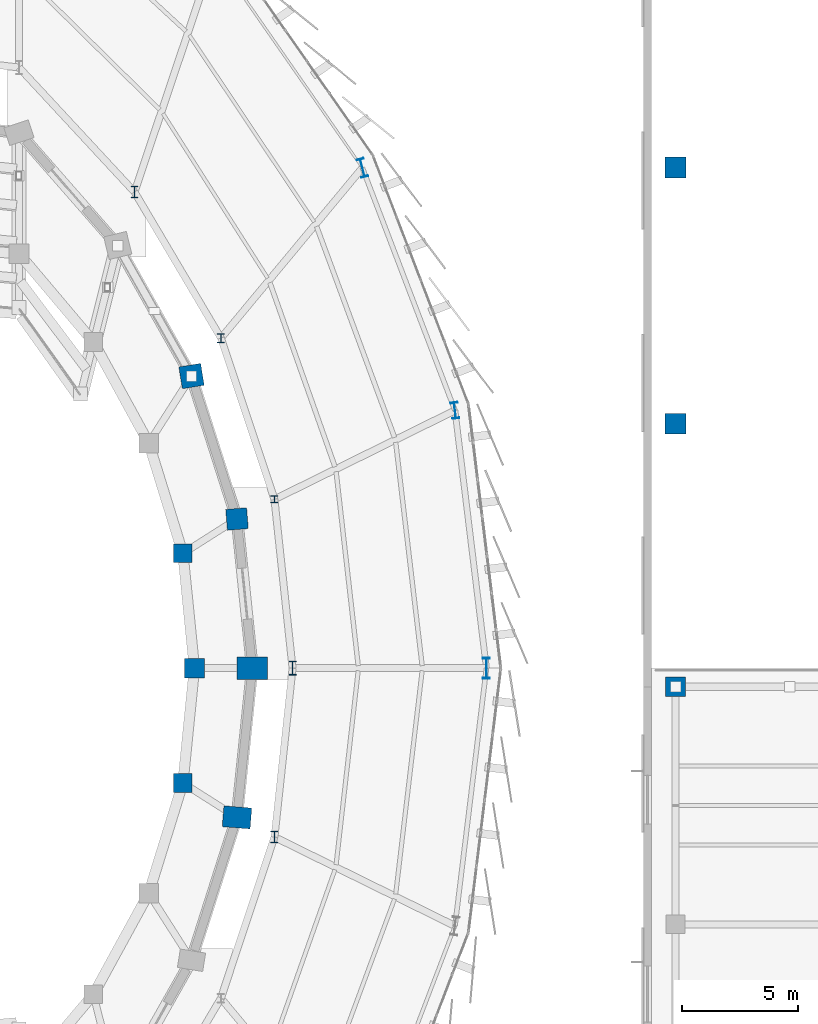
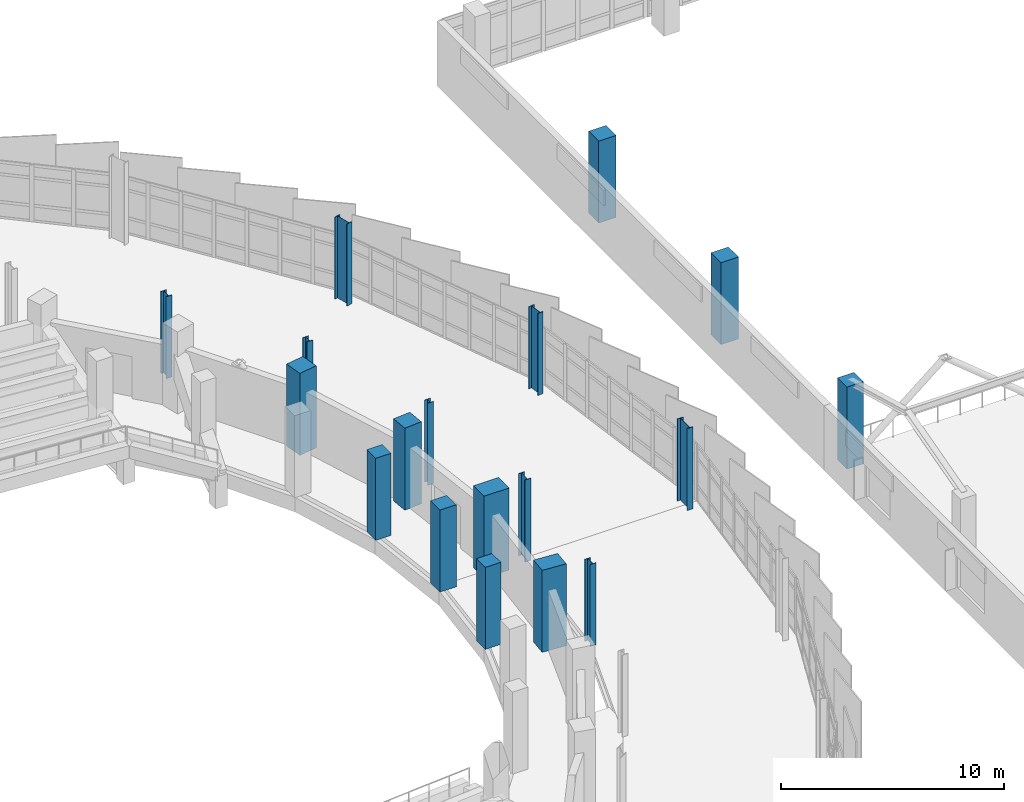
# One storey, part 21 of 120: 18 columns.
"""IFC4 building model written with IfcOpenShell, lengths in metres."""

import ifcopenshell
import ifcopenshell.guid

model = None  # the IFC model being written
_history = None  # IfcOwnerHistory: only IFC2X3 demands one
_inside = {}  # id of a spatial element -> (the spatial element, [elements in it])
_under = {}  # id of a project, library or spatial element -> (it, [spatial elements below it])
_declared = {}  # id of a project -> (the project, [libraries it declares])
_typed = {}  # id of a type object -> (the type object, [elements of that type])
_made_of = {}  # id of a material, layer set ... -> (it, [elements and type objects made of it])


def new_model(schema):
    """Start an empty IFC model of exactly this schema.

    Asked for "IFC4X3", IfcOpenShell would pick the latest addendum, in which some entities
    have other attributes; the version numbers below select the first issue.
    IFC2X3 requires an IfcOwnerHistory on every rooted entity: one is made here for all.
    """
    global model, _history
    if schema == "IFC4X3":
        model = ifcopenshell.file(schema_version=(4, 3, 0, 0))
    else:
        model = ifcopenshell.file(schema=schema)
    _inside.clear()
    _under.clear()
    _declared.clear()
    _typed.clear()
    _made_of.clear()
    _history = None
    if model.schema == "IFC2X3":
        org = make("IfcOrganization", Name="unknown")
        user = make(
            "IfcPersonAndOrganization",
            ThePerson=make("IfcPerson", FamilyName="unknown"),
            TheOrganization=org,
        )
        app = make(
            "IfcApplication",
            ApplicationDeveloper=org,
            Version="unknown",
            ApplicationFullName="unknown",
            ApplicationIdentifier="unknown",
        )
        _history = make(
            "IfcOwnerHistory",
            OwningUser=user,
            OwningApplication=app,
            ChangeAction="ADDED",
            CreationDate=0,
        )
    return model


def make(cls, **values):
    """One entity of the class cls with the attributes given. An attribute that is None is left unset."""
    return model.create_entity(
        cls, **{name: value for name, value in values.items() if value is not None}
    )


def rooted(cls, **values):
    """An entity with a GlobalId (a new one), such as an element, a storey or a relation."""
    return make(cls, GlobalId=ifcopenshell.guid.new(), OwnerHistory=_history, **values)


def si_unit(unit_type, name, prefix=None):
    """IfcSIUnit, for example si_unit("LENGTHUNIT", "METRE", prefix="MILLI")."""
    return make("IfcSIUnit", UnitType=unit_type, Prefix=prefix, Name=name)


def assignment(units):
    """IfcUnitAssignment: the units of a project."""
    return None if units is None else make("IfcUnitAssignment", Units=units)


def point(xyz):
    """IfcCartesianPoint."""
    return None if xyz is None else make("IfcCartesianPoint", Coordinates=xyz)


def direction(xyz):
    """IfcDirection."""
    return None if xyz is None else make("IfcDirection", DirectionRatios=xyz)


def frame(location, z_axis=None, x_axis=None):
    """IfcAxis2Placement3D, a coordinate frame: its origin and axes. An axis left out is left unset."""
    return make(
        "IfcAxis2Placement3D",
        Location=point(location),
        Axis=direction(z_axis),
        RefDirection=direction(x_axis),
    )


def frame_2d(location, x_axis=None):
    """IfcAxis2Placement2D, a coordinate frame in the plane: its origin and x axis."""
    return make(
        "IfcAxis2Placement2D", Location=point(location), RefDirection=direction(x_axis)
    )


def origin():
    """The frame at (0, 0, 0) with its axes left unset."""
    return frame((0.0, 0.0, 0.0))


def origin_2d():
    """The frame at (0, 0) in the plane with its x axis left unset."""
    return frame_2d((0.0, 0.0))


def place(relative_to, where):
    """IfcLocalPlacement: puts the frame where relative to a parent placement (None: the world)."""
    return make(
        "IfcLocalPlacement", PlacementRelTo=relative_to, RelativePlacement=where
    )


def context(
    kind, dimensions, precision=None, world=None, true_north=None, identifier=None
):
    """IfcGeometricRepresentationContext, for example the 3D "Model" context."""
    return make(
        "IfcGeometricRepresentationContext",
        ContextIdentifier=identifier,
        ContextType=kind,
        CoordinateSpaceDimension=dimensions,
        Precision=precision,
        WorldCoordinateSystem=world,
        TrueNorth=true_north,
    )


def subcontext(parent, identifier, kind, view, scale=None):
    """IfcGeometricRepresentationSubContext, for example "Body" below "Model"."""
    return make(
        "IfcGeometricRepresentationSubContext",
        ContextIdentifier=identifier,
        ContextType=kind,
        ParentContext=parent,
        TargetScale=scale,
        TargetView=view,
    )


def project(units=None, contexts=None):
    """IfcProject with its units and contexts."""
    return rooted(
        "IfcProject",
        Name="project",
        RepresentationContexts=contexts,
        UnitsInContext=assignment(units),
    )


def spatial(cls, under=None, at=None, **own):
    """A site, building, storey or space (cls), placed at a placement, below another one or the project."""
    s = rooted(cls, ObjectPlacement=at, **own)
    if under is not None:
        _under.setdefault(under.id(), (under, []))[1].append(s)
    return s


def profile(cls, at=None, kind="AREA", **sizes):
    """A parametric profile (cls). Its sizes go by their IFC names, for example OverallWidth=200.0."""
    return make(cls, ProfileType=kind, Position=at, **sizes)


def rectangle(**sizes):
    """IfcRectangleProfileDef."""
    return profile("IfcRectangleProfileDef", **sizes)


def i_section(**sizes):
    """IfcIShapeProfileDef."""
    return profile("IfcIShapeProfileDef", **sizes)


def extrude(swept, where, along, depth):
    """IfcExtrudedAreaSolid: the profile swept, set in the frame where, extruded along a direction by depth."""
    return make(
        "IfcExtrudedAreaSolid",
        SweptArea=swept,
        Position=where,
        ExtrudedDirection=direction(along),
        Depth=depth,
    )


def shape(context_of_items, identifier, shape_type, items):
    """IfcShapeRepresentation: the items that make up one representation, for example the "Body"."""
    return make(
        "IfcShapeRepresentation",
        ContextOfItems=context_of_items,
        RepresentationIdentifier=identifier,
        RepresentationType=shape_type,
        Items=items,
    )


def material(Name=None, Category=None):
    """IfcMaterial."""
    return make("IfcMaterial", Name=Name, Category=Category)


def material_profile(
    of_material, cross_section, Name=None, Category=None, Priority=None
):
    """IfcMaterialProfile: a cross section and its material."""
    return make(
        "IfcMaterialProfile",
        Name=Name,
        Material=of_material,
        Profile=cross_section,
        Priority=Priority,
        Category=Category,
    )


def profile_set(profiles, Name=None, composite=None):
    """IfcMaterialProfileSet."""
    return make(
        "IfcMaterialProfileSet",
        Name=Name,
        MaterialProfiles=profiles,
        CompositeProfile=composite,
    )


def made_of(thing, what):
    """Note that an element or type object is made of a material, layer set ...; save() writes the relation."""
    if what is not None:
        _made_of.setdefault(what.id(), (what, []))[1].append(thing)
    return thing


def type_object(cls, material=None, **own):
    """A type object (cls), such as IfcWallType, which elements share."""
    return made_of(rooted(cls, **own), material)


def element(
    cls,
    number,
    at=None,
    inside=None,
    cuts=None,
    type_object=None,
    material=None,
    context=None,
    identifier="Body",
    shape_type=None,
    held_by="IfcProductDefinitionShape",
    body=None,
    shapes=None,
    **own,
):
    """One element of the class cls, such as IfcWall. Its Tag is "e" and its number.

    at: its placement. inside: the storey or other place that contains it. cuts: it is an
    opening in that element (IfcRelVoidsElement). A single representation is given by context,
    identifier, shape_type and body (its items); several are given by shapes. held_by: the class
    of the entity that holds the representations. save() writes the other relations.
    """
    e = rooted(cls, Tag="e%d" % number, ObjectPlacement=at, **own)
    if body is not None:
        shapes = [shape(context, identifier, shape_type, body)]
    if shapes is not None:
        e.Representation = make(held_by, Representations=shapes)
    if inside is not None:
        _inside.setdefault(inside.id(), (inside, []))[1].append(e)
    if cuts is not None:
        rooted(
            "IfcRelVoidsElement", RelatingBuildingElement=cuts, RelatedOpeningElement=e
        )
    if type_object is not None:
        _typed.setdefault(type_object.id(), (type_object, []))[1].append(e)
    return made_of(e, material)


def aggregate(whole, parts):
    """IfcRelAggregates: a whole, such as a stair, and the parts it consists of."""
    return rooted("IfcRelAggregates", RelatingObject=whole, RelatedObjects=parts)


def save(model, path):
    """Write the relations noted so far, then the file.

    IfcRelAggregates (storeys below a building ...), IfcRelContainedInSpatialStructure (elements
    in a storey), IfcRelDefinesByType, IfcRelAssociatesMaterial and IfcRelDeclares: one each for
    every whole, place, type object, material and project.
    """
    for whole, parts in _under.values():
        aggregate(whole, parts)
    for where, things in _inside.values():
        rooted(
            "IfcRelContainedInSpatialStructure",
            RelatedElements=things,
            RelatingStructure=where,
        )
    for kind, things in _typed.values():
        rooted("IfcRelDefinesByType", RelatedObjects=things, RelatingType=kind)
    for what, things in _made_of.values():
        rooted("IfcRelAssociatesMaterial", RelatedObjects=things, RelatingMaterial=what)
    for by, libraries in _declared.values():
        rooted("IfcRelDeclares", RelatingContext=by, RelatedDefinitions=libraries)
    model.write(path)


model = new_model("IFC4")

# Units and contexts
model_context = context("Model", 3, precision=1e-05, world=origin(), true_north=direction((0.0, 1.0)))
body_context = subcontext(model_context, "Body", "Model", "MODEL_VIEW")
ifc_project = project(units=[si_unit("LENGTHUNIT", "METRE"), si_unit("AREAUNIT", "SQUARE_METRE"), si_unit("VOLUMEUNIT", "CUBIC_METRE"), si_unit("PLANEANGLEUNIT", "RADIAN"), si_unit("MASSUNIT", "GRAM", prefix="KILO")], contexts=[model_context])

# Site, building, storey
site_placement = place(None, origin())
site = spatial("IfcSite", under=ifc_project, at=site_placement, CompositionType="ELEMENT")
building_placement = place(site_placement, origin())
building = spatial("IfcBuilding", under=site, at=building_placement, Name="Sohan Crest Arena", CompositionType="ELEMENT")
storey_placement = place(building_placement, frame((0.0, 0.0, 13.5)))
storey = spatial("IfcBuildingStorey", under=building, at=storey_placement, Name="L03", CompositionType="ELEMENT", Elevation=13.5)

# Columns
ifc_material_1 = material(Name="Concrete C40/50", Category="concrete")
ifc_material_profile_1 = material_profile(ifc_material_1, rectangle(XDim=0.800048828125, YDim=0.800048828125, at=origin_2d()), Name="RC 800x800")
ifc_profile_set_1 = profile_set([ifc_material_profile_1], Name="Concrete C40/50")
column_type_1 = type_object("IfcColumnType", Name="STR-COL-C05", PredefinedType="COLUMN", material=ifc_profile_set_1)
for number, where, z_axis, x_axis, name in (
    (1, (175.037109375, 73.070068359375, 0.0), (0.0, 0.0, 1.0), (1.0, 0.0, 0.0), "Structural column COL-V1M-23-L03"),
    (2, (175.037109375, 82.929931640625, 0.0), (0.0, 0.0, 1.0), (1.0, 0.0, 0.0), "Structural column COL-V1M-25-L03"),
):
    element("IfcColumn", number, at=place(storey_placement, frame(where, z_axis=z_axis, x_axis=x_axis)), inside=storey, type_object=column_type_1, Name=name, PredefinedType="COLUMN", context=body_context, shape_type="SweptSolid", body=[
        extrude(rectangle(XDim=0.800048828125, YDim=0.800048828125, at=origin_2d()), origin(), (0.0, 0.0, 1.0), 4.5),
    ])
ifc_material_profile_2 = material_profile(ifc_material_1, rectangle(XDim=0.85009765625, YDim=0.85009765625, at=origin_2d()), Name="RC 850x850")
ifc_profile_set_2 = profile_set([ifc_material_profile_2], Name="Concrete C40/50")
column_type_2 = type_object("IfcColumnType", Name="STR-COL-C06", PredefinedType="COLUMN", material=ifc_profile_set_2)
for number, where, z_axis, x_axis, name in (
    (3, (175.531982421875, 78.0, 0.0), (0.0, 0.0, 1.0), (1.0, 0.0, 0.0), "Structural column COL-V1M-24-L03"),
    (4, (196.199951171875, 77.199951171875, 0.0), (0.0, 0.0, 1.0), (1.0, 0.0, 0.0), "Structural column COL-V4S-14-L03"),
):
    element("IfcColumn", number, at=place(storey_placement, frame(where, z_axis=z_axis, x_axis=x_axis)), inside=storey, type_object=column_type_2, Name=name, PredefinedType="COLUMN", context=body_context, shape_type="SweptSolid", body=[
        extrude(rectangle(XDim=0.85009765625, YDim=0.85009765625, at=origin_2d()), origin(), (0.0, 0.0, 1.0), 4.5),
    ])
ifc_material_profile_3 = material_profile(ifc_material_1, rectangle(XDim=0.89990234375, YDim=0.89990234375, at=origin_2d()), Name="RC 900x900")
ifc_profile_set_3 = profile_set([ifc_material_profile_3], Name="Concrete C40/50")
column_type_3 = type_object("IfcColumnType", Name="STR-COL-C07", PredefinedType="COLUMN", material=ifc_profile_set_3)
for number, where, z_axis, x_axis, name in (
    (5, (177.363037109375, 84.406982421875, 0.0), (0.0, 0.0, 1.0), (0.996778878456, 0.080198924329, 0.0), "Structural column COL-V1R-25-L03"),
    (6, (196.199951171875, 88.5, 0.0), (0.0, 0.0, 1.0), (1.0, 0.0, 0.0), "Structural column COL-V4G-W1-L03"),
    (7, (196.199951171875, 99.5, 0.0), (0.0, 0.0, 1.0), (1.0, 0.0, 0.0), "Structural column COL-V4G-W2-L03"),
):
    element("IfcColumn", number, at=place(storey_placement, frame(where, z_axis=z_axis, x_axis=x_axis)), inside=storey, type_object=column_type_3, Name=name, PredefinedType="COLUMN", context=body_context, shape_type="SweptSolid", body=[
        extrude(rectangle(XDim=0.89990234375, YDim=0.89990234375, at=origin_2d()), origin(), (0.0, 0.0, 1.0), 4.5),
    ])
ifc_material_profile_4 = material_profile(ifc_material_1, rectangle(XDim=0.949951171875, YDim=0.949951171875, at=origin_2d()), Name="RC 950x950")
ifc_profile_set_4 = profile_set([ifc_material_profile_4], Name="Concrete C40/50")
column_type_4 = type_object("IfcColumnType", Name="STR-COL-C08", PredefinedType="COLUMN", material=ifc_profile_set_4)
column_1_placement = place(storey_placement, frame((175.408935546875, 90.544921875, 0.0), z_axis=(0.0, 0.0, 1.0), x_axis=(0.987136265073, 0.159881187692, 0.0)))
element("IfcColumn", 8, at=column_1_placement, inside=storey, type_object=column_type_4, Name="Structural column COL-V1R-26-L03", PredefinedType="COLUMN", context=body_context, shape_type="SweptSolid", body=[
    extrude(rectangle(XDim=0.949951171875, YDim=0.949951171875, at=origin_2d()), origin(), (0.0, 0.0, 1.0), 4.5),
])
ifc_material_profile_5 = material_profile(ifc_material_1, rectangle(XDim=1.199951171875, YDim=0.89990234375, at=origin_2d()), Name="RC 1200x900")
ifc_profile_set_5 = profile_set([ifc_material_profile_5], Name="Concrete C40/50")
column_type_5 = type_object("IfcColumnType", Name="STR-COL-C11", PredefinedType="COLUMN", material=ifc_profile_set_5)
column_2_placement = place(storey_placement, frame((177.363037109375, 71.593017578125, 0.0), z_axis=(0.0, 0.0, 1.0), x_axis=(-0.996778878456, 0.080198924329, 0.0)))
element("IfcColumn", 9, at=column_2_placement, inside=storey, type_object=column_type_5, Name="Structural column COL-V1R-23-L03", PredefinedType="COLUMN", context=body_context, shape_type="SweptSolid", body=[
    extrude(rectangle(XDim=1.199951171875, YDim=0.89990234375, at=origin_2d()), origin(), (0.0, 0.0, 1.0), 4.5),
])
ifc_material_profile_6 = material_profile(ifc_material_1, rectangle(XDim=1.300048828125, YDim=0.949951171875, at=origin_2d()), Name="RC 1300x950")
ifc_profile_set_6 = profile_set([ifc_material_profile_6], Name="Concrete C40/50")
column_type_6 = type_object("IfcColumnType", Name="STR-COL-C12", PredefinedType="COLUMN", material=ifc_profile_set_6)
column_3_placement = place(storey_placement, frame((178.02294921875, 78.0, 0.0), z_axis=(0.0, 0.0, 1.0), x_axis=(1.0, 0.0, 0.0)))
element("IfcColumn", 10, at=column_3_placement, inside=storey, type_object=column_type_6, Name="Structural column COL-V1R-24-L03", PredefinedType="COLUMN", context=body_context, shape_type="SweptSolid", body=[
    extrude(rectangle(XDim=1.300048828125, YDim=0.949951171875, at=origin_2d()), origin(), (0.0, 0.0, 1.0), 4.5),
])
ifc_material_2 = material(Name="Steel S355", Category="steel")
ifc_material_profile_7 = material_profile(ifc_material_2, i_section(OverallWidth=0.300048828125, OverallDepth=0.300048828125, WebThickness=0.010986328125, FlangeThickness=0.01904296875, at=origin_2d()), Name="HEB 300")
ifc_profile_set_7 = profile_set([ifc_material_profile_7], Name="Steel S355")
column_type_7 = type_object("IfcColumnType", Name="STR-COL-C17", PredefinedType="COLUMN", material=ifc_profile_set_7)
column_4_placement = place(storey_placement, frame((178.971923828125, 85.251953125, 0.0), z_axis=(0.0, 0.0, 1.0), x_axis=(1.0, 0.0, 0.0)))
element("IfcColumn", 11, at=column_4_placement, inside=storey, type_object=column_type_7, Name="Structural column COL-V2I-25-L03", PredefinedType="COLUMN", context=body_context, shape_type="SweptSolid", body=[
    extrude(i_section(OverallWidth=0.300048828125, OverallDepth=0.300048828125, WebThickness=0.010986328125, FlangeThickness=0.01904296875, at=origin_2d()), origin(), (0.0, 0.0, 1.0), 4.5),
])
ifc_material_profile_8 = material_profile(ifc_material_2, i_section(OverallWidth=0.300048828125, OverallDepth=0.39990234375, WebThickness=0.013427734375, FlangeThickness=0.02392578125, at=origin_2d()), Name="HEB 400")
ifc_profile_set_8 = profile_set([ifc_material_profile_8], Name="Steel S355")
column_type_8 = type_object("IfcColumnType", Name="STR-COL-C18", PredefinedType="COLUMN", material=ifc_profile_set_8)
column_5_placement = place(storey_placement, frame((176.674072265625, 92.175048828125, 0.0), z_axis=(0.0, 0.0, 1.0), x_axis=(1.0, 0.0, 0.0)))
element("IfcColumn", 12, at=column_5_placement, inside=storey, type_object=column_type_8, Name="Structural column COL-V2I-26-L03", PredefinedType="COLUMN", context=body_context, shape_type="SweptSolid", body=[
    extrude(i_section(OverallWidth=0.300048828125, OverallDepth=0.39990234375, WebThickness=0.013427734375, FlangeThickness=0.02392578125, at=origin_2d()), origin(), (0.0, 0.0, 1.0), 4.5),
])
ifc_material_profile_9 = material_profile(ifc_material_2, i_section(OverallWidth=0.300048828125, OverallDepth=0.5, WebThickness=0.014404296875, FlangeThickness=0.028076171875, at=origin_2d()), Name="HEB 500")
ifc_profile_set_9 = profile_set([ifc_material_profile_9], Name="Steel S355")
column_type_9 = type_object("IfcColumnType", Name="STR-COL-C19", PredefinedType="COLUMN", material=ifc_profile_set_9)
for number, where, z_axis, x_axis, name in (
    (13, (178.971923828125, 70.748046875, 0.0), (0.0, 0.0, 1.0), (1.0, 0.0, 0.0), "Structural column COL-V2I-23-L03"),
    (14, (172.9609375, 98.452880859375, 0.0), (0.0, 0.0, 1.0), (1.0, 0.0, 0.0), "Structural column COL-V2I-27-L03"),
):
    element("IfcColumn", number, at=place(storey_placement, frame(where, z_axis=z_axis, x_axis=x_axis)), inside=storey, type_object=column_type_9, Name=name, PredefinedType="COLUMN", context=body_context, shape_type="SweptSolid", body=[
        extrude(i_section(OverallWidth=0.300048828125, OverallDepth=0.5, WebThickness=0.014404296875, FlangeThickness=0.028076171875, at=origin_2d()), origin(), (0.0, 0.0, 1.0), 4.5),
    ])
ifc_material_profile_10 = material_profile(ifc_material_2, i_section(OverallWidth=0.300048828125, OverallDepth=0.60009765625, WebThickness=0.015380859375, FlangeThickness=0.030029296875, at=origin_2d()), Name="HEB 600")
ifc_profile_set_10 = profile_set([ifc_material_profile_10], Name="Steel S355")
column_type_10 = type_object("IfcColumnType", Name="STR-COL-C20", PredefinedType="COLUMN", material=ifc_profile_set_10)
column_6_placement = place(storey_placement, frame((179.75, 78.0, 0.0), z_axis=(0.0, 0.0, 1.0), x_axis=(1.0, 0.0, 0.0)))
element("IfcColumn", 15, at=column_6_placement, inside=storey, type_object=column_type_10, Name="Structural column COL-V2I-24-L03", PredefinedType="COLUMN", context=body_context, shape_type="SweptSolid", body=[
    extrude(i_section(OverallWidth=0.300048828125, OverallDepth=0.60009765625, WebThickness=0.015380859375, FlangeThickness=0.030029296875, at=origin_2d()), origin(), (0.0, 0.0, 1.0), 4.5),
])
ifc_material_profile_11 = material_profile(ifc_material_2, i_section(OverallWidth=0.300048828125, OverallDepth=0.699951171875, WebThickness=0.01708984375, FlangeThickness=0.031982421875, at=origin_2d()), Name="HEB 700")
ifc_profile_set_11 = profile_set([ifc_material_profile_11], Name="Steel S355")
column_type_11 = type_object("IfcColumnType", Name="STR-COL-C21", PredefinedType="COLUMN", material=ifc_profile_set_11)
column_7_placement = place(storey_placement, frame((186.72509765625, 89.070068359375, 0.0), z_axis=(0.0, 0.0, 1.0), x_axis=(0.992331937885, 0.12360147674, 0.0)))
element("IfcColumn", 16, at=column_7_placement, inside=storey, type_object=column_type_11, Name="Structural column COL-V2O-25-L03", PredefinedType="COLUMN", context=body_context, shape_type="SweptSolid", body=[
    extrude(i_section(OverallWidth=0.300048828125, OverallDepth=0.699951171875, WebThickness=0.01708984375, FlangeThickness=0.031982421875, at=origin_2d()), origin(), (0.0, 0.0, 1.0), 4.5),
])
ifc_material_profile_12 = material_profile(ifc_material_2, i_section(OverallWidth=0.300048828125, OverallDepth=0.800048828125, WebThickness=0.017578125, FlangeThickness=0.032958984375, at=origin_2d()), Name="HEB 800")
ifc_profile_set_12 = profile_set([ifc_material_profile_12], Name="Steel S355")
column_type_12 = type_object("IfcColumnType", Name="STR-COL-C22", PredefinedType="COLUMN", material=ifc_profile_set_12)
column_8_placement = place(storey_placement, frame((182.7490234375, 99.489013671875, 0.0), z_axis=(0.0, 0.0, 1.0), x_axis=(0.969445349895, 0.245307385879, 0.0)))
element("IfcColumn", 17, at=column_8_placement, inside=storey, type_object=column_type_12, Name="Structural column COL-V2O-26-L03", PredefinedType="COLUMN", context=body_context, shape_type="SweptSolid", body=[
    extrude(i_section(OverallWidth=0.300048828125, OverallDepth=0.800048828125, WebThickness=0.017578125, FlangeThickness=0.032958984375, at=origin_2d()), origin(), (0.0, 0.0, 1.0), 4.5),
])
ifc_material_profile_13 = material_profile(ifc_material_2, i_section(OverallWidth=0.300048828125, OverallDepth=0.89990234375, WebThickness=0.0185546875, FlangeThickness=0.034912109375, at=origin_2d()), Name="HEB 900")
ifc_profile_set_13 = profile_set([ifc_material_profile_13], Name="Steel S355")
column_type_13 = type_object("IfcColumnType", Name="STR-COL-C23", PredefinedType="COLUMN", material=ifc_profile_set_13)
column_9_placement = place(storey_placement, frame((188.076904296875, 78.0, 0.0), z_axis=(0.0, 0.0, 1.0), x_axis=(1.0, 0.0, 0.0)))
element("IfcColumn", 18, at=column_9_placement, inside=storey, type_object=column_type_13, Name="Structural column COL-V2O-24-L03", PredefinedType="COLUMN", context=body_context, shape_type="SweptSolid", body=[
    extrude(i_section(OverallWidth=0.300048828125, OverallDepth=0.89990234375, WebThickness=0.0185546875, FlangeThickness=0.034912109375, at=origin_2d()), origin(), (0.0, 0.0, 1.0), 4.5),
])

save(model, "model.ifc")
